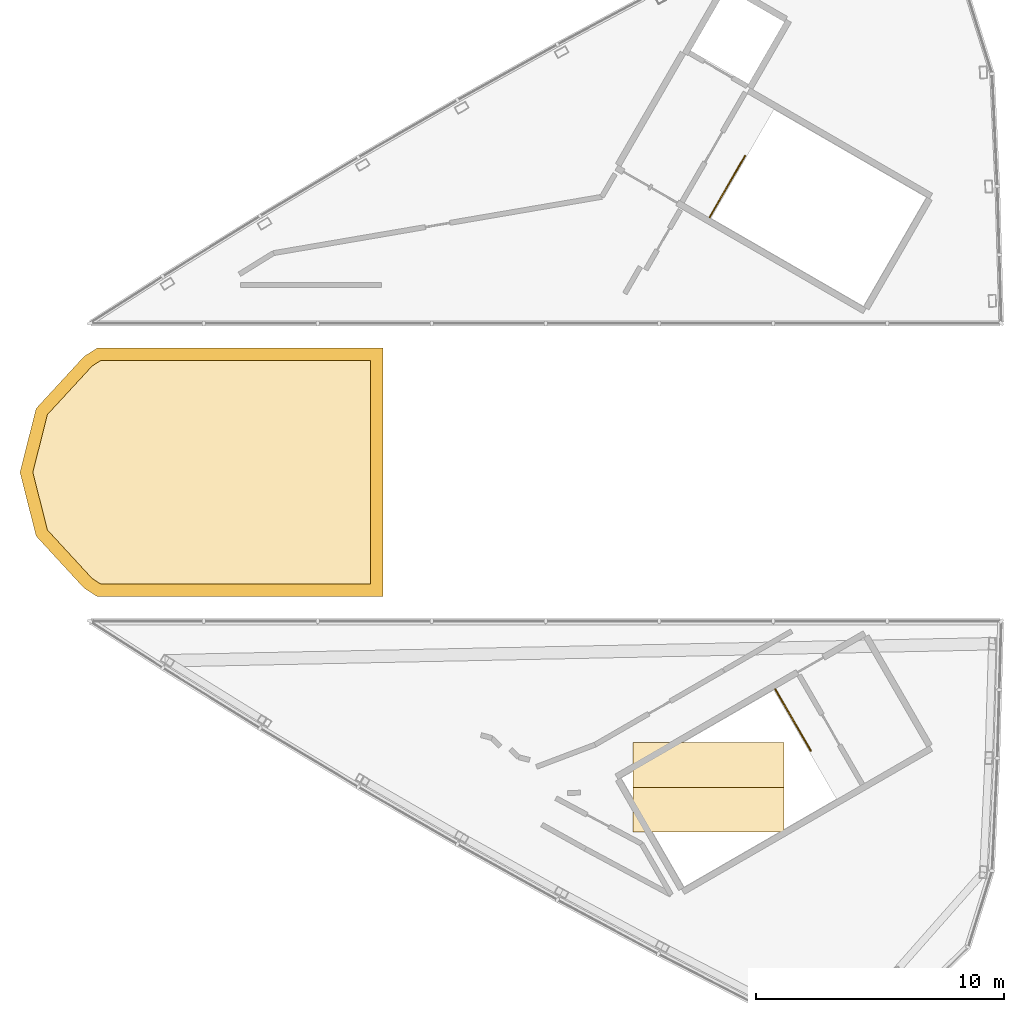
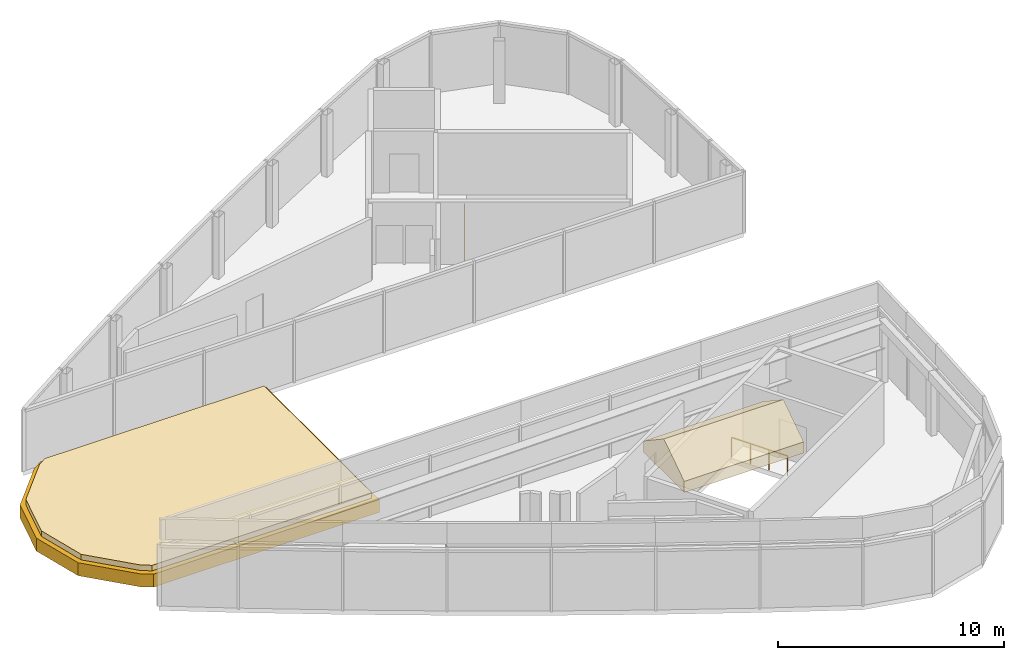
# One storey, part 7 of 7: 3 coverings, 2 railings.
"""IFC4 building model written with IfcOpenShell, lengths in metres."""

from ifc_helpers import new_model, si_unit, direction, frame, origin, origin_2d, place, context, subcontext, project, spatial, polyline, circle, outline, extrude, source, transform, mapped, material, layer, layer_set, type_object, element, save


model = new_model("IFC4")

# Units and contexts
model_context = context("Model", 3, precision=1e-05, world=origin(), true_north=direction((0.0, 1.0)))
body_context = subcontext(model_context, "Body", "Model", "MODEL_VIEW")
ifc_project = project(units=[si_unit("LENGTHUNIT", "METRE"), si_unit("AREAUNIT", "SQUARE_METRE"), si_unit("VOLUMEUNIT", "CUBIC_METRE"), si_unit("PLANEANGLEUNIT", "RADIAN"), si_unit("MASSUNIT", "GRAM", prefix="KILO")], contexts=[model_context])

# Site, building, storey
site_placement = place(None, origin())
site = spatial("IfcSite", under=ifc_project, at=site_placement, CompositionType="ELEMENT")
building_placement = place(site_placement, origin())
building = spatial("IfcBuilding", under=site, at=building_placement, Name="Tamra Quay Hotel Tower", CompositionType="ELEMENT")
storey_placement = place(building_placement, frame((0.0, 0.0, 335.0)))
storey = spatial("IfcBuildingStorey", under=building, at=storey_placement, Name="Roof crown 5", CompositionType="ELEMENT", Elevation=335.0)

# Coverings
ifc_material_1 = material(Name="Precast concrete M60 terracotta-coloured cornice", Category="masonry")
ifc_layer_1 = layer(ifc_material_1, 0.300048828125)
ifc_layer_set_1 = layer_set([ifc_layer_1], Name="LANTERN CROWN LID 300")
covering_type_1 = type_object("IfcCoveringType", Name="LANTERN CROWN LID 300", PredefinedType="ROOFING", material=ifc_layer_set_1)
covering_1_placement = place(storey_placement, frame((0.0, 0.0, 1.0)))
element("IfcCovering", 1, at=covering_1_placement, inside=storey, type_object=covering_type_1, Name="Lantern C crown lid", PredefinedType="ROOFING", context=body_context, shape_type="SweptSolid", body=[
    extrude(outline(polyline([(-20.87890625, -4.474365234375), (-20.448974609375, -4.75), (-9.25, -4.75), (-9.25, 4.75), (-20.448974609375, 4.75), (-20.87890625, 4.474365234375), (-22.7451171875, 2.447509765625), (-23.364990234375, 0.0), (-22.7451171875, -2.447509765625), (-20.87890625, -4.474365234375)])), origin(), (0.0, 0.0, 1.0), 0.300048828125),
])
ifc_layer_2 = layer(ifc_material_1, 0.5)
ifc_layer_set_2 = layer_set([ifc_layer_2], Name="LANTERN CROWN RING 500X700")
covering_type_2 = type_object("IfcCoveringType", Name="LANTERN CROWN RING 500X700", PredefinedType="MOLDING", material=ifc_layer_set_2)
covering_2_placement = place(storey_placement, frame((0.0, 0.0, 0.300048828125)))
element("IfcCovering", 2, at=covering_2_placement, inside=storey, type_object=covering_type_2, Name="Lantern C crown ring 5", PredefinedType="MOLDING", context=body_context, shape_type="SweptSolid", body=[
    extrude(outline(polyline([(-21.041015625, -4.667236328125), (-20.522216796875, -5.0), (-9.0, -5.0), (-9.0, 5.0), (-20.522216796875, 5.0), (-21.041015625, 4.667236328125), (-22.971923828125, 2.5703125), (-23.622802734375, 0.0), (-22.971923828125, -2.5703125), (-21.041015625, -4.667236328125)]), holes=[polyline([(-20.716796875, -4.28125), (-20.375732421875, -4.5), (-9.5, -4.5), (-9.5, 4.5), (-20.375732421875, 4.5), (-20.716796875, 4.28125), (-22.518310546875, 2.32470703125), (-23.107177734375, 0.0), (-22.518310546875, -2.32470703125), (-20.716796875, -4.28125)])]), origin(), (0.0, 0.0, 1.0), 0.699951171875),
])

# Railings
ifc_material_2 = material(Name="Stair guard 1100")
railing_type = type_object("IfcRailingType", Name="Stair guard 1100", PredefinedType="GUARDRAIL", material=ifc_material_2)
railing_1_placement = place(storey_placement, frame((4.166015625, 10.27587890625, 0.0)))
element("IfcRailing", 3, at=railing_1_placement, inside=storey, type_object=railing_type, Name="GR", PredefinedType="GUARDRAIL", context=body_context, shape_type="SweptSolid", body=[
    extrude(circle(Radius=0.02392578125, at=origin_2d()), frame((0.0, 0.0, 1.076171875), z_axis=(0.499968846828, 0.86604338933, 0.0), x_axis=(-0.86604338933, 0.499968846828, 0.0)), (0.0, 0.0, 1.0), 2.859130859375),
    extrude(circle(Radius=0.02099609375, at=origin_2d()), origin(), (0.0, 0.0, 1.0), 1.052001953125),
    extrude(circle(Radius=0.02099609375, at=origin_2d()), frame((0.4765625, 0.825439453125, 0.0)), (0.0, 0.0, 1.0), 1.052001953125),
    extrude(circle(Radius=0.02099609375, at=origin_2d()), frame((0.952880859375, 1.650634765625, 0.0)), (0.0, 0.0, 1.0), 1.052001953125),
    extrude(circle(Radius=0.02099609375, at=origin_2d()), frame((1.429443359375, 2.47607421875, 0.0)), (0.0, 0.0, 1.0), 1.052001953125),
])
railing_2_placement = place(storey_placement, frame((6.816162109375, -8.745849609375, 0.0)))
element("IfcRailing", 4, at=railing_2_placement, inside=storey, type_object=railing_type, Name="GR", PredefinedType="GUARDRAIL", context=body_context, shape_type="SweptSolid", body=[
    extrude(circle(Radius=0.02392578125, at=origin_2d()), frame((0.0, 0.0, 1.076171875), z_axis=(0.500032889218, -0.866006414353, 0.0), x_axis=(0.866006414353, 0.500032889218, 0.0)), (0.0, 0.0, 1.0), 2.859130859375),
    extrude(circle(Radius=0.02099609375, at=origin_2d()), origin(), (0.0, 0.0, 1.0), 1.052001953125),
    extrude(circle(Radius=0.02099609375, at=origin_2d()), frame((0.4765625, -0.825439453125, 0.0)), (0.0, 0.0, 1.0), 1.052001953125),
    extrude(circle(Radius=0.02099609375, at=origin_2d()), frame((0.953125, -1.650634765625, 0.0)), (0.0, 0.0, 1.0), 1.052001953125),
    extrude(circle(Radius=0.02099609375, at=origin_2d()), frame((1.4296875, -2.47607421875, 0.0)), (0.0, 0.0, 1.0), 1.052001953125),
])

# Covering
ifc_material_3 = material(Name="Laminated glass ridge in aluminium frame", Category="aluminium")
covering_type_3 = type_object("IfcCoveringType", Name="LANTERN RIDGE GLAZING 3600X6100", PredefinedType="ROOFING", material=ifc_material_3)
shared_shape = source(origin(), body_context, "Body", "SweptSolid", [
    extrude(outline(polyline([(-1.800048828125, 0.0), (1.800048828125, 0.0), (1.800048828125, 0.60009765625), (0.0, 1.800048828125), (-1.800048828125, 0.60009765625), (-1.800048828125, 0.0)])), frame((0.0, 0.0, 0.0), z_axis=(1.0, 0.0, 0.0), x_axis=(0.0, 1.0, 0.0)), (0.0, 0.0, 1.0), 6.10009765625),
])
covering_3_placement = place(storey_placement, frame((1.073974609375, -12.697998046875, 3.60009765625), z_axis=(0.0, 0.0, 1.0), x_axis=(1.0, 0.0, 0.0)))
element("IfcCovering", 5, at=covering_3_placement, inside=storey, type_object=covering_type_3, Name="Lantern B glazed ridge", PredefinedType="ROOFING", context=body_context, shape_type="MappedRepresentation", body=[
    mapped(shared_shape, transform((0.0, 0.0, 0.0), scale=1.0)),
])

save(model, "model.ifc")
